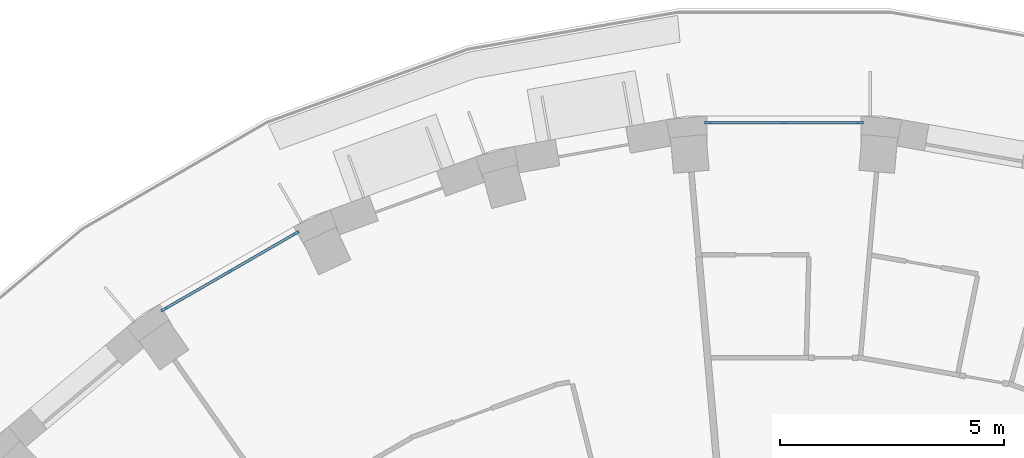
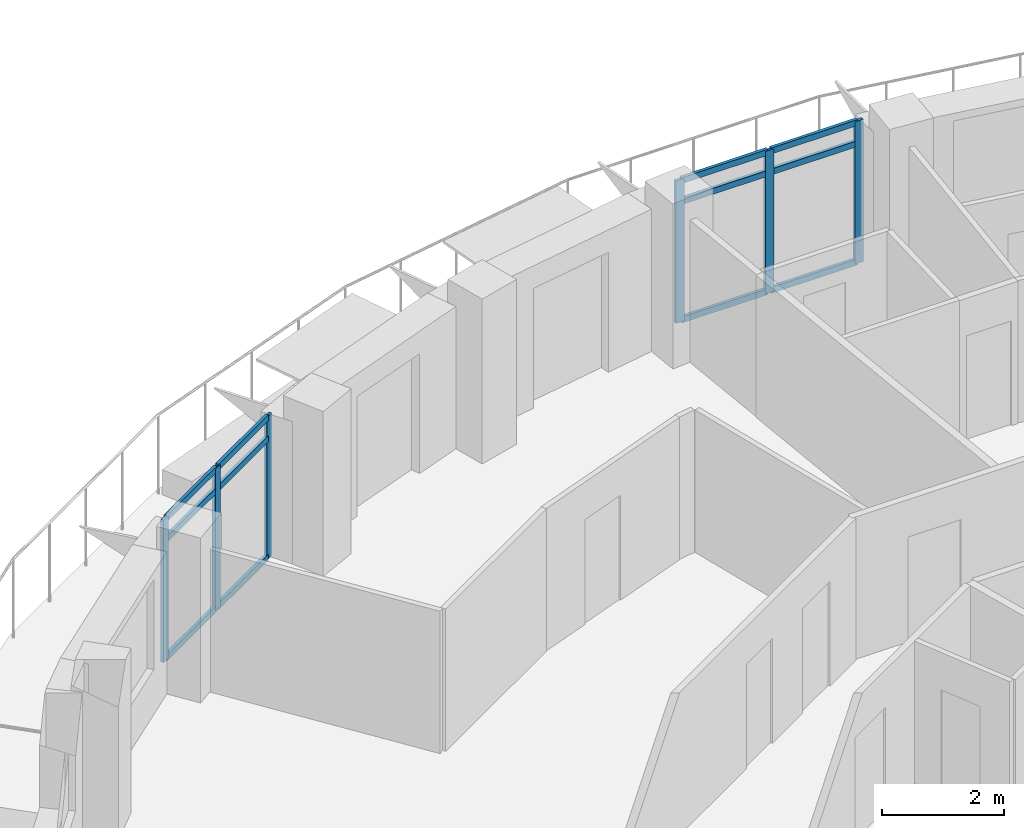
# One storey, part 2 of 14: 18 members, 2 elements without a shape of their own.
"""IFC4 building model written with IfcOpenShell, lengths in metres."""

from ifc_helpers import new_model, si_unit, direction, frame, origin, origin_2d, place, context, subcontext, project, spatial, rectangle, extrude, material, layer, layer_set, material_profile, profile_set, type_object, element, aggregate, save


model = new_model("IFC4")

# Units and contexts
model_context = context("Model", 3, precision=1e-05, world=origin(), true_north=direction((0.0, 1.0)))
body_context = subcontext(model_context, "Body", "Model", "MODEL_VIEW")
ifc_project = project(units=[si_unit("LENGTHUNIT", "METRE"), si_unit("AREAUNIT", "SQUARE_METRE"), si_unit("VOLUMEUNIT", "CUBIC_METRE"), si_unit("PLANEANGLEUNIT", "RADIAN"), si_unit("MASSUNIT", "GRAM", prefix="KILO")], contexts=[model_context])

# Site, building, storey
site_placement = place(None, origin())
site = spatial("IfcSite", under=ifc_project, at=site_placement, CompositionType="ELEMENT")
building_placement = place(site_placement, origin())
building = spatial("IfcBuilding", under=site, at=building_placement, Name="Saqina Gate Tower", CompositionType="ELEMENT")
storey_placement = place(building_placement, frame((0.0, 0.0, 210.300048828125)))
storey = spatial("IfcBuildingStorey", under=building, at=storey_placement, Name="L60", CompositionType="ELEMENT", Elevation=210.300048828125)

# Curtain wall, members
ifc_material_1 = material(Name="Aluminium glazing", Category="aluminium")
ifc_layer = layer(ifc_material_1, 0.159912109375)
ifc_layer_set = layer_set([ifc_layer], Name="CWT-4")
curtain_wall_type = type_object("IfcCurtainWallType", Name="CWT-4", PredefinedType="NOTDEFINED", material=ifc_layer_set)
curtain_wall_1_placement = place(storey_placement, origin())
curtain_wall_1 = element("IfcCurtainWall", 1, at=curtain_wall_1_placement, inside=storey, type_object=curtain_wall_type, Name="Terrace lounge glazing facet 9", PredefinedType="NOTDEFINED")
ifc_material_2 = material(Name="Aluminium", Category="aluminium")
ifc_material_profile_1 = material_profile(ifc_material_2, rectangle(XDim=0.06005859375, YDim=0.159912109375, at=origin_2d()), Name="Aluminium 60x160")
ifc_profile_set_1 = profile_set([ifc_material_profile_1], Name="Aluminium")
member_type_1 = type_object("IfcMemberType", Name="CWT-4M", PredefinedType="MULLION", material=ifc_profile_set_1)
member_1_placement = place(storey_placement, frame((1.69482421875, 24.7548828125, 0.0), z_axis=(0.0, 0.0, 1.0), x_axis=(0.0, -1.0, 0.0)))
member_1 = element("IfcMember", 2, at=member_1_placement, type_object=member_type_1, Name="CW4-09 mullion 1", PredefinedType="MULLION", context=body_context, shape_type="SweptSolid", body=[
    extrude(rectangle(XDim=0.06005859375, YDim=0.159912109375, at=origin_2d()), origin(), (0.0, 0.0, 1.0), 2.849853515625),
])
member_2_placement = place(storey_placement, frame((0.0, 24.7548828125, 0.0), z_axis=(0.0, 0.0, 1.0), x_axis=(0.0, -1.0, 0.0)))
member_2 = element("IfcMember", 3, at=member_2_placement, type_object=member_type_1, Name="CW4-09 mullion 2", PredefinedType="MULLION", context=body_context, shape_type="SweptSolid", body=[
    extrude(rectangle(XDim=0.06005859375, YDim=0.159912109375, at=origin_2d()), origin(), (0.0, 0.0, 1.0), 2.849853515625),
])
member_3_placement = place(storey_placement, frame((-1.69482421875, 24.7548828125, 0.0), z_axis=(0.0, 0.0, 1.0), x_axis=(0.0, -1.0, 0.0)))
member_3 = element("IfcMember", 4, at=member_3_placement, type_object=member_type_1, Name="CW4-09 mullion 3", PredefinedType="MULLION", context=body_context, shape_type="SweptSolid", body=[
    extrude(rectangle(XDim=0.06005859375, YDim=0.159912109375, at=origin_2d()), origin(), (0.0, 0.0, 1.0), 2.849853515625),
])

curtain_wall_2_placement = place(storey_placement, origin())
curtain_wall_2 = element("IfcCurtainWall", 5, at=curtain_wall_2_placement, inside=storey, type_object=curtain_wall_type, Name="Terrace lounge glazing facet 12", PredefinedType="NOTDEFINED")
member_4_placement = place(storey_placement, frame((-10.90966796875, 22.285888671875, 0.0), z_axis=(0.0, 0.0, 1.0), x_axis=(0.500014364391, -0.866017110341, 0.0)))
member_4 = element("IfcMember", 6, at=member_4_placement, type_object=member_type_1, Name="CW4-12 mullion 1", PredefinedType="MULLION", context=body_context, shape_type="SweptSolid", body=[
    extrude(rectangle(XDim=0.06005859375, YDim=0.159912109375, at=origin_2d()), origin(), (0.0, 0.0, 1.0), 2.849853515625),
])
member_5_placement = place(storey_placement, frame((-12.37744140625, 21.438232421875, 0.0), z_axis=(0.0, 0.0, 1.0), x_axis=(0.500014364391, -0.866017110341, 0.0)))
member_5 = element("IfcMember", 7, at=member_5_placement, type_object=member_type_1, Name="CW4-12 mullion 2", PredefinedType="MULLION", context=body_context, shape_type="SweptSolid", body=[
    extrude(rectangle(XDim=0.06005859375, YDim=0.159912109375, at=origin_2d()), origin(), (0.0, 0.0, 1.0), 2.849853515625),
])
member_6_placement = place(storey_placement, frame((-13.84521484375, 20.5908203125, 0.0), z_axis=(0.0, 0.0, 1.0), x_axis=(0.500014364391, -0.866017110341, 0.0)))
member_6 = element("IfcMember", 8, at=member_6_placement, type_object=member_type_1, Name="CW4-12 mullion 3", PredefinedType="MULLION", context=body_context, shape_type="SweptSolid", body=[
    extrude(rectangle(XDim=0.06005859375, YDim=0.159912109375, at=origin_2d()), origin(), (0.0, 0.0, 1.0), 2.849853515625),
])

# Member
ifc_material_3 = material(Name="Aluminium", Category="aluminium")
ifc_material_profile_2 = material_profile(ifc_material_3, rectangle(XDim=0.06005859375, YDim=0.1201171875, at=origin_2d()), Name="Aluminium 60x120")
ifc_profile_set_2 = profile_set([ifc_material_profile_2], Name="Aluminium")
member_type_2 = type_object("IfcMemberType", Name="CWT-4T", PredefinedType="USERDEFINED", material=ifc_profile_set_2)
member_7_placement = place(storey_placement, frame((1.664794921875, 24.7548828125, 0.030029296875), z_axis=(-1.0, 0.0, 0.0), x_axis=(0.0, -1.0, 0.0)))
member_7 = element("IfcMember", 9, at=member_7_placement, type_object=member_type_2, Name="CW4-09 transom 1.1", ObjectType="TRANSOM", PredefinedType="USERDEFINED", context=body_context, shape_type="SweptSolid", body=[
    extrude(rectangle(XDim=0.06005859375, YDim=0.1201171875, at=origin_2d()), origin(), (0.0, 0.0, 1.0), 1.634765625),
])

member_8_placement = place(storey_placement, frame((1.664794921875, 24.7548828125, 2.39990234375), z_axis=(-1.0, 0.0, 0.0), x_axis=(0.0, -1.0, 0.0)))
member_8 = element("IfcMember", 10, at=member_8_placement, type_object=member_type_2, Name="CW4-09 transom 1.2", ObjectType="TRANSOM", PredefinedType="USERDEFINED", context=body_context, shape_type="SweptSolid", body=[
    extrude(rectangle(XDim=0.06005859375, YDim=0.1201171875, at=origin_2d()), origin(), (0.0, 0.0, 1.0), 1.634765625),
])

member_9_placement = place(storey_placement, frame((1.664794921875, 24.7548828125, 2.820068359375), z_axis=(-1.0, 0.0, 0.0), x_axis=(0.0, -1.0, 0.0)))
member_9 = element("IfcMember", 11, at=member_9_placement, type_object=member_type_2, Name="CW4-09 transom 1.3", ObjectType="TRANSOM", PredefinedType="USERDEFINED", context=body_context, shape_type="SweptSolid", body=[
    extrude(rectangle(XDim=0.06005859375, YDim=0.1201171875, at=origin_2d()), origin(), (0.0, 0.0, 1.0), 1.634765625),
])

member_10_placement = place(storey_placement, frame((-0.030029296875, 24.7548828125, 0.030029296875), z_axis=(-1.0, 0.0, 0.0), x_axis=(0.0, -1.0, 0.0)))
member_10 = element("IfcMember", 12, at=member_10_placement, type_object=member_type_2, Name="CW4-09 transom 2.1", ObjectType="TRANSOM", PredefinedType="USERDEFINED", context=body_context, shape_type="SweptSolid", body=[
    extrude(rectangle(XDim=0.06005859375, YDim=0.1201171875, at=origin_2d()), origin(), (0.0, 0.0, 1.0), 1.634765625),
])

member_11_placement = place(storey_placement, frame((-0.030029296875, 24.7548828125, 2.39990234375), z_axis=(-1.0, 0.0, 0.0), x_axis=(0.0, -1.0, 0.0)))
member_11 = element("IfcMember", 13, at=member_11_placement, type_object=member_type_2, Name="CW4-09 transom 2.2", ObjectType="TRANSOM", PredefinedType="USERDEFINED", context=body_context, shape_type="SweptSolid", body=[
    extrude(rectangle(XDim=0.06005859375, YDim=0.1201171875, at=origin_2d()), origin(), (0.0, 0.0, 1.0), 1.634765625),
])

member_12_placement = place(storey_placement, frame((-0.030029296875, 24.7548828125, 2.820068359375), z_axis=(-1.0, 0.0, 0.0), x_axis=(0.0, -1.0, 0.0)))
member_12 = element("IfcMember", 14, at=member_12_placement, type_object=member_type_2, Name="CW4-09 transom 2.3", ObjectType="TRANSOM", PredefinedType="USERDEFINED", context=body_context, shape_type="SweptSolid", body=[
    extrude(rectangle(XDim=0.06005859375, YDim=0.1201171875, at=origin_2d()), origin(), (0.0, 0.0, 1.0), 1.634765625),
])

aggregate(curtain_wall_1, [member_1, member_2, member_3, member_7, member_8, member_9, member_10, member_11, member_12])

member_13_placement = place(storey_placement, frame((-10.935546875, 22.270751953125, 0.030029296875), z_axis=(-0.866066236526, -0.499929268946, 0.0), x_axis=(0.499929268946, -0.866066236526, 0.0)))
member_13 = element("IfcMember", 15, at=member_13_placement, type_object=member_type_2, Name="CW4-12 transom 1.1", ObjectType="TRANSOM", PredefinedType="USERDEFINED", context=body_context, shape_type="SweptSolid", body=[
    extrude(rectangle(XDim=0.06005859375, YDim=0.1201171875, at=origin_2d()), origin(), (0.0, 0.0, 1.0), 1.635009765625),
])

member_14_placement = place(storey_placement, frame((-10.935546875, 22.270751953125, 2.39990234375), z_axis=(-0.866066236526, -0.499929268946, 0.0), x_axis=(0.499929268946, -0.866066236526, 0.0)))
member_14 = element("IfcMember", 16, at=member_14_placement, type_object=member_type_2, Name="CW4-12 transom 1.2", ObjectType="TRANSOM", PredefinedType="USERDEFINED", context=body_context, shape_type="SweptSolid", body=[
    extrude(rectangle(XDim=0.06005859375, YDim=0.1201171875, at=origin_2d()), origin(), (0.0, 0.0, 1.0), 1.635009765625),
])

member_15_placement = place(storey_placement, frame((-10.935546875, 22.270751953125, 2.820068359375), z_axis=(-0.866066236526, -0.499929268946, 0.0), x_axis=(0.499929268946, -0.866066236526, 0.0)))
member_15 = element("IfcMember", 17, at=member_15_placement, type_object=member_type_2, Name="CW4-12 transom 1.3", ObjectType="TRANSOM", PredefinedType="USERDEFINED", context=body_context, shape_type="SweptSolid", body=[
    extrude(rectangle(XDim=0.06005859375, YDim=0.1201171875, at=origin_2d()), origin(), (0.0, 0.0, 1.0), 1.635009765625),
])

member_16_placement = place(storey_placement, frame((-12.4033203125, 21.42333984375, 0.030029296875), z_axis=(-0.866066236526, -0.499929268946, 0.0), x_axis=(0.499929268946, -0.866066236526, 0.0)))
member_16 = element("IfcMember", 18, at=member_16_placement, type_object=member_type_2, Name="CW4-12 transom 2.1", ObjectType="TRANSOM", PredefinedType="USERDEFINED", context=body_context, shape_type="SweptSolid", body=[
    extrude(rectangle(XDim=0.06005859375, YDim=0.1201171875, at=origin_2d()), origin(), (0.0, 0.0, 1.0), 1.635009765625),
])

member_17_placement = place(storey_placement, frame((-12.4033203125, 21.42333984375, 2.39990234375), z_axis=(-0.866066236526, -0.499929268946, 0.0), x_axis=(0.499929268946, -0.866066236526, 0.0)))
member_17 = element("IfcMember", 19, at=member_17_placement, type_object=member_type_2, Name="CW4-12 transom 2.2", ObjectType="TRANSOM", PredefinedType="USERDEFINED", context=body_context, shape_type="SweptSolid", body=[
    extrude(rectangle(XDim=0.06005859375, YDim=0.1201171875, at=origin_2d()), origin(), (0.0, 0.0, 1.0), 1.635009765625),
])

member_18_placement = place(storey_placement, frame((-12.4033203125, 21.42333984375, 2.820068359375), z_axis=(-0.866066236526, -0.499929268946, 0.0), x_axis=(0.499929268946, -0.866066236526, 0.0)))
member_18 = element("IfcMember", 20, at=member_18_placement, type_object=member_type_2, Name="CW4-12 transom 2.3", ObjectType="TRANSOM", PredefinedType="USERDEFINED", context=body_context, shape_type="SweptSolid", body=[
    extrude(rectangle(XDim=0.06005859375, YDim=0.1201171875, at=origin_2d()), origin(), (0.0, 0.0, 1.0), 1.635009765625),
])

aggregate(curtain_wall_2, [member_4, member_5, member_6, member_13, member_14, member_15, member_16, member_17, member_18])

save(model, "model.ifc")
